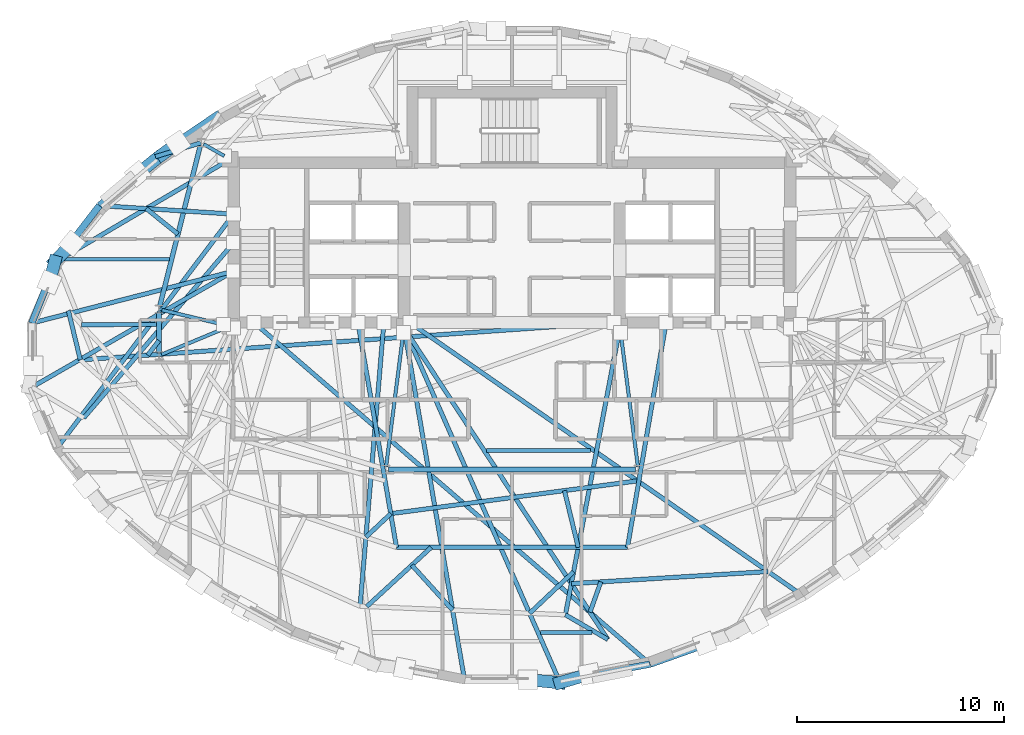
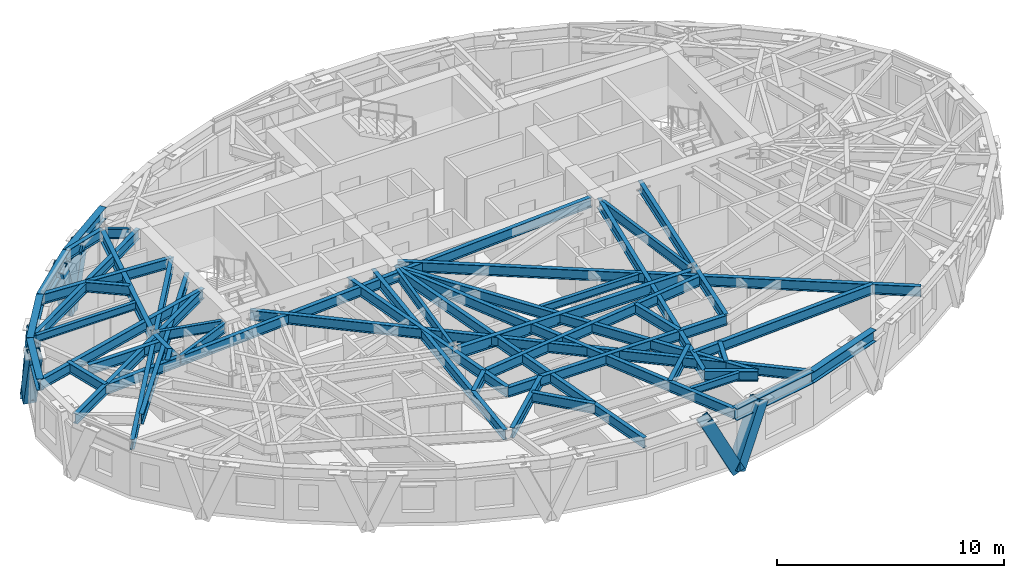
# One storey, part 2 of 14: 48 beams, 6 members.
"""IFC4 building model written with IfcOpenShell, lengths in metres."""

from ifc_helpers import new_model, si_unit, direction, frame, origin, origin_2d, place, context, subcontext, project, spatial, hollow_rectangle, i_section, extrude, material, material_profile, profile_set, type_object, element, save


model = new_model("IFC4")

# Units and contexts
model_context = context("Model", 3, precision=1e-05, world=origin(), true_north=direction((0.0, 1.0)))
body_context = subcontext(model_context, "Body", "Model", "MODEL_VIEW")
ifc_project = project(units=[si_unit("LENGTHUNIT", "METRE"), si_unit("AREAUNIT", "SQUARE_METRE"), si_unit("VOLUMEUNIT", "CUBIC_METRE"), si_unit("PLANEANGLEUNIT", "RADIAN"), si_unit("MASSUNIT", "GRAM", prefix="KILO")], contexts=[model_context])

# Site, building, storey
site_placement = place(None, origin())
site = spatial("IfcSite", under=ifc_project, at=site_placement, CompositionType="ELEMENT")
building_placement = place(site_placement, origin())
building = spatial("IfcBuilding", under=site, at=building_placement, Name="Keldmark Tower", CompositionType="ELEMENT")
storey_placement = place(building_placement, frame((0.0, 0.0, 216.300048828125)))
storey = spatial("IfcBuildingStorey", under=building, at=storey_placement, Name="L60", CompositionType="ELEMENT", Elevation=216.300048828125)

# Beams
ifc_material_1 = material(Name="Steel ASTM A992 Grade 50", Category="steel")
ifc_material_profile_1 = material_profile(ifc_material_1, i_section(OverallWidth=0.177978515625, OverallDepth=0.403076171875, WebThickness=0.007568359375, FlangeThickness=0.010986328125, at=origin_2d()), Name="W16X36")
ifc_profile_set_1 = profile_set([ifc_material_profile_1], Name="Steel ASTM A992 Grade 50")
beam_type_1 = type_object("IfcBeamType", Name="Composite Floor Joist W16X36", PredefinedType="JOIST", material=ifc_profile_set_1)
beam_1_placement = place(storey_placement, frame((1.36279296875, -13.3798828125, 2.7685546875), z_axis=(1.0, 0.0, 0.0), x_axis=(0.0, 1.0, 0.0)))
element("IfcBeam", 1, at=beam_1_placement, inside=storey, type_object=beam_type_1, Name="L60 Composite Floor Joist J03", PredefinedType="JOIST", context=body_context, shape_type="SweptSolid", body=[
    extrude(i_section(OverallWidth=0.177978515625, OverallDepth=0.403076171875, WebThickness=0.007568359375, FlangeThickness=0.010986328125, at=origin_2d()), origin(), (0.0, 0.0, 1.0), 2.494384765625),
])
beam_2_placement = place(storey_placement, frame((-1.22412109375, -4.60009765625, 2.7685546875), z_axis=(1.0, 0.0, 0.0), x_axis=(0.0, 1.0, 0.0)))
element("IfcBeam", 2, at=beam_2_placement, inside=storey, type_object=beam_type_1, Name="L60 Composite Floor Joist J05", PredefinedType="JOIST", context=body_context, shape_type="SweptSolid", body=[
    extrude(i_section(OverallWidth=0.177978515625, OverallDepth=0.403076171875, WebThickness=0.007568359375, FlangeThickness=0.010986328125, at=origin_2d()), origin(), (0.0, 0.0, 1.0), 5.007568359375),
])
beam_3_placement = place(storey_placement, frame((-21.606689453125, 4.6201171875, 2.7685546875), z_axis=(1.0, 0.0, 0.0), x_axis=(0.0, 1.0, 0.0)))
element("IfcBeam", 3, at=beam_3_placement, inside=storey, type_object=beam_type_1, Name="L60 Composite Floor Joist J06", PredefinedType="JOIST", context=body_context, shape_type="SweptSolid", body=[
    extrude(i_section(OverallWidth=0.177978515625, OverallDepth=0.403076171875, WebThickness=0.007568359375, FlangeThickness=0.010986328125, at=origin_2d()), origin(), (0.0, 0.0, 1.0), 5.081787109375),
])

# Members
ifc_material_2 = material(Name="Steel ASTM A572 Grade 50", Category="steel")
ifc_material_profile_2 = material_profile(ifc_material_2, hollow_rectangle(XDim=0.60009765625, YDim=0.60009765625, WallThickness=0.034912109375, at=origin_2d()), Name="BOX600X600X35")
ifc_profile_set_2 = profile_set([ifc_material_profile_2], Name="Steel ASTM A572 Grade 50")
member_type = type_object("IfcMemberType", Name="Diagrid Zone 4 Brace BOX600X600X35", PredefinedType="BRACE", material=ifc_profile_set_2)
member_1_placement = place(storey_placement, frame((-17.109375, 9.498046875, -0.260009765625), z_axis=(0.292510553181, 0.217207911398, 0.931267039846), x_axis=(-0.596172516376, 0.802856357462, 0.0)))
element("IfcMember", 4, at=member_1_placement, inside=storey, type_object=member_type, Name="L60 Perimeter Diagrid Brace 06B", PredefinedType="BRACE", context=body_context, shape_type="SweptSolid", body=[
    extrude(hollow_rectangle(XDim=0.60009765625, YDim=0.60009765625, WallThickness=0.034912109375, at=origin_2d()), origin(), (0.0, 0.0, 1.0), 3.33935546875),
])
member_2_placement = place(storey_placement, frame((-17.10107421875, 9.50634765625, -0.260009765625), z_axis=(-0.284634478032, -0.22716653564, 0.931331616021), x_axis=(0.623788719083, -0.781593010425, 0.0)))
element("IfcMember", 5, at=member_2_placement, inside=storey, type_object=member_type, Name="L60 Perimeter Diagrid Brace 07A", PredefinedType="BRACE", context=body_context, shape_type="SweptSolid", body=[
    extrude(hollow_rectangle(XDim=0.60009765625, YDim=0.60009765625, WallThickness=0.034912109375, at=origin_2d()), origin(), (0.0, 0.0, 1.0), 3.339111328125),
])
member_3_placement = place(storey_placement, frame((-22.048583984375, 4.518798828125, -0.260009765625), z_axis=(0.246743949948, 0.261249680973, 0.933202029228), x_axis=(-0.727001844794, 0.686635505684, 0.0)))
element("IfcMember", 6, at=member_3_placement, inside=storey, type_object=member_type, Name="L60 Perimeter Diagrid Brace 07B", PredefinedType="BRACE", context=body_context, shape_type="SweptSolid", body=[
    extrude(hollow_rectangle(XDim=0.60009765625, YDim=0.60009765625, WallThickness=0.034912109375, at=origin_2d()), origin(), (0.0, 0.0, 1.0), 3.33251953125),
])
member_4_placement = place(storey_placement, frame((-22.044189453125, 4.52978515625, -0.260009765625), z_axis=(-0.080760808944, -0.310103658651, 0.947266283909), x_axis=(0.967720697177, -0.25202510243, 0.0)))
element("IfcMember", 7, at=member_4_placement, inside=storey, type_object=member_type, Name="L60 Perimeter Diagrid Brace 08A", PredefinedType="BRACE", context=body_context, shape_type="SweptSolid", body=[
    extrude(hollow_rectangle(XDim=0.60009765625, YDim=0.60009765625, WallThickness=0.034912109375, at=origin_2d()), origin(), (0.0, 0.0, 1.0), 3.282958984375),
])
member_5_placement = place(storey_placement, frame((2.30908203125, -15.800048828125, -0.260009765625), z_axis=(-0.44402328644, 0.044051044398, 0.894931744094), x_axis=(-0.098724208893, -0.99511483286, 0.0)))
element("IfcMember", 8, at=member_5_placement, inside=storey, type_object=member_type, Name="L60 Perimeter Diagrid Brace 12B", PredefinedType="BRACE", context=body_context, shape_type="SweptSolid", body=[
    extrude(hollow_rectangle(XDim=0.60009765625, YDim=0.60009765625, WallThickness=0.034912109375, at=origin_2d()), origin(), (0.0, 0.0, 1.0), 3.474853515625),
])
member_6_placement = place(storey_placement, frame((2.297119140625, -15.800048828125, -0.260009765625), z_axis=(0.416849662536, 0.122120333706, 0.900734690649), x_axis=(-0.281143781266, 0.959665657537, 0.0)))
element("IfcMember", 9, at=member_6_placement, inside=storey, type_object=member_type, Name="L60 Perimeter Diagrid Brace 13A", PredefinedType="BRACE", context=body_context, shape_type="SweptSolid", body=[
    extrude(hollow_rectangle(XDim=0.60009765625, YDim=0.60009765625, WallThickness=0.034912109375, at=origin_2d()), origin(), (0.0, 0.0, 1.0), 3.45263671875),
])

# Beams
ifc_material_3 = material(Name="Steel ASTM A992 Grade 50", Category="steel")
ifc_material_profile_3 = material_profile(ifc_material_3, i_section(OverallWidth=0.22802734375, OverallDepth=0.60302734375, WebThickness=0.010498046875, FlangeThickness=0.014892578125, at=origin_2d()), Name="W24X68")
ifc_profile_set_3 = profile_set([ifc_material_profile_3], Name="Steel ASTM A992 Grade 50")
beam_type_2 = type_object("IfcBeamType", Name="Primary Floor Girder W24X68", PredefinedType="BEAM", material=ifc_profile_set_3)
beam_4_placement = place(storey_placement, frame((-15.030029296875, 10.10791015625, 2.66845703125), z_axis=(-0.244902129455, -0.969547805417, 0.0), x_axis=(0.969547805417, -0.244902129455, 0.0)))
element("IfcBeam", 10, at=beam_4_placement, inside=storey, type_object=beam_type_2, Name="L60 Floor Ring Girder FG-R05", PredefinedType="BEAM", context=body_context, shape_type="SweptSolid", body=[
    extrude(i_section(OverallWidth=0.22802734375, OverallDepth=0.60302734375, WebThickness=0.010498046875, FlangeThickness=0.014892578125, at=origin_2d()), origin(), (0.0, 0.0, 1.0), 8.008056640625),
])
beam_5_placement = place(storey_placement, frame((-17.025634765625, 2.068115234375, 2.66845703125), z_axis=(0.0, -1.0, 0.0), x_axis=(1.0, 0.0, 0.0)))
element("IfcBeam", 11, at=beam_5_placement, inside=storey, type_object=beam_type_2, Name="L60 Floor Ring Girder FG-R06", PredefinedType="BEAM", context=body_context, shape_type="SweptSolid", body=[
    extrude(i_section(OverallWidth=0.22802734375, OverallDepth=0.60302734375, WebThickness=0.010498046875, FlangeThickness=0.014892578125, at=origin_2d()), origin(), (0.0, 0.0, 1.0), 1.9521484375),
])
beam_6_placement = place(storey_placement, frame((-5.949462890625, -5.512939453125, 2.66845703125), z_axis=(1.0, 0.0, 0.0), x_axis=(0.0, 1.0, 0.0)))
element("IfcBeam", 12, at=beam_6_placement, inside=storey, type_object=beam_type_2, Name="L60 Floor Ring Girder FG-R09", PredefinedType="BEAM", context=body_context, shape_type="SweptSolid", body=[
    extrude(i_section(OverallWidth=0.22802734375, OverallDepth=0.60302734375, WebThickness=0.010498046875, FlangeThickness=0.014892578125, at=origin_2d()), origin(), (0.0, 0.0, 1.0), 11.89892578125),
])
ifc_material_4 = material(Name="Steel ASTM A992 Grade 50", Category="steel")
ifc_material_profile_4 = material_profile(ifc_material_4, i_section(OverallWidth=0.166015625, OverallDepth=0.529052734375, WebThickness=0.009765625, FlangeThickness=0.013671875, at=origin_2d()), Name="W21X50")
ifc_profile_set_4 = profile_set([ifc_material_profile_4], Name="Steel ASTM A992 Grade 50")
beam_type_3 = type_object("IfcBeamType", Name="Radial Tie Girder W21X50", PredefinedType="BEAM", material=ifc_profile_set_4)
beam_7_placement = place(storey_placement, frame((-14.8740234375, 10.174560546875, 2.70556640625), z_axis=(0.869238046195, -0.494393789451, 0.0), x_axis=(0.494393789451, 0.869238046195, 0.0)))
element("IfcBeam", 13, at=beam_7_placement, inside=storey, type_object=beam_type_3, Name="L60 Floor Radial Girder FG-C05", PredefinedType="BEAM", context=body_context, shape_type="SweptSolid", body=[
    extrude(i_section(OverallWidth=0.166015625, OverallDepth=0.529052734375, WebThickness=0.009765625, FlangeThickness=0.013671875, at=origin_2d()), origin(), (0.0, 0.0, 1.0), 1.145751953125),
])
beam_8_placement = place(storey_placement, frame((-16.889404296875, 2.17578125, 2.70556640625), z_axis=(0.97329039005, -0.229577474147, 0.0), x_axis=(0.229577474147, 0.97329039005, 0.0)))
element("IfcBeam", 14, at=beam_8_placement, inside=storey, type_object=beam_type_3, Name="L60 Floor Radial Girder FG-C06", PredefinedType="BEAM", context=body_context, shape_type="SweptSolid", body=[
    extrude(i_section(OverallWidth=0.166015625, OverallDepth=0.529052734375, WebThickness=0.009765625, FlangeThickness=0.013671875, at=origin_2d()), origin(), (0.0, 0.0, 1.0), 3.0595703125),
])
beam_9_placement = place(storey_placement, frame((-16.896240234375, 0.02978515625, 2.70556640625), z_axis=(0.923403331902, 0.383831065226, 0.0), x_axis=(-0.383831065226, 0.923403331902, 0.0)))
element("IfcBeam", 15, at=beam_9_placement, inside=storey, type_object=beam_type_3, Name="L60 Floor Radial Girder FG-C07", PredefinedType="BEAM", context=body_context, shape_type="SweptSolid", body=[
    extrude(i_section(OverallWidth=0.166015625, OverallDepth=0.529052734375, WebThickness=0.009765625, FlangeThickness=0.013671875, at=origin_2d()), origin(), (0.0, 0.0, 1.0), 3.249755859375),
])
for number, where, z_axis, x_axis, name in (
    (16, (-6.071533203125, -5.3740234375, 2.70556640625), (0.127625044513, 0.991822488157, 0.0), (-0.991822488157, 0.127625044513, 0.0), "L60 Floor Radial Girder FG-C09"),
    (17, (6.071533203125, -5.3740234375, 2.70556640625), (-0.127625044513, 0.991822488157, 0.0), (-0.991822488157, -0.127625044513, 0.0), "L60 Floor Radial Girder FG-C10"),
):
    element("IfcBeam", number, at=place(storey_placement, frame(where, z_axis=z_axis, x_axis=x_axis)), inside=storey, type_object=beam_type_3, Name=name, PredefinedType="BEAM", context=body_context, shape_type="SweptSolid", body=[
        extrude(i_section(OverallWidth=0.166015625, OverallDepth=0.529052734375, WebThickness=0.009765625, FlangeThickness=0.013671875, at=origin_2d()), origin(), (0.0, 0.0, 1.0), 6.509765625),
    ])
ifc_material_5 = material(Name="Steel ASTM A992 Grade 50", Category="steel")
ifc_material_profile_5 = material_profile(ifc_material_5, i_section(OverallWidth=0.2099609375, OverallDepth=0.537109375, WebThickness=0.010986328125, FlangeThickness=0.017333984375, at=origin_2d()), Name="W21X68")
ifc_profile_set_5 = profile_set([ifc_material_profile_5], Name="Steel ASTM A992 Grade 50")
beam_type_4 = type_object("IfcBeamType", Name="Radial Tie Girder W21X68", PredefinedType="BEAM", material=ifc_profile_set_5)
beam_10_placement = place(storey_placement, frame((-17.025634765625, 0.70166015625, 2.701416015625), z_axis=(-0.612339626549, -0.790594827809, 0.0), x_axis=(0.790594827809, -0.612339626549, 0.0)))
element("IfcBeam", 18, at=beam_10_placement, inside=storey, type_object=beam_type_4, Name="L60 Framing Pin Header PH-001", PredefinedType="BEAM", context=body_context, shape_type="SweptSolid", body=[
    extrude(i_section(OverallWidth=0.2099609375, OverallDepth=0.537109375, WebThickness=0.010986328125, FlangeThickness=0.017333984375, at=origin_2d()), origin(), (0.0, 0.0, 1.0), 0.887451171875),
])
beam_11_placement = place(storey_placement, frame((4.925048828125, 1.574951171875, 2.701416015625), z_axis=(-0.997557227115, -0.069853980777, 0.0), x_axis=(0.069853980777, -0.997557227115, 0.0)))
element("IfcBeam", 19, at=beam_11_placement, inside=storey, type_object=beam_type_4, Name="L60 Sub-Ring Step Girder STP1-M07", PredefinedType="BEAM", context=body_context, shape_type="SweptSolid", body=[
    extrude(i_section(OverallWidth=0.2099609375, OverallDepth=0.537109375, WebThickness=0.010986328125, FlangeThickness=0.017333984375, at=origin_2d()), origin(), (0.0, 0.0, 1.0), 25.80712890625),
])
beam_12_placement = place(storey_placement, frame((-7.43212890625, 1.574951171875, 2.701416015625), z_axis=(0.169271687768, -0.985569427144, 0.0), x_axis=(0.985569427144, 0.169271687768, 0.0)))
element("IfcBeam", 20, at=beam_12_placement, inside=storey, type_object=beam_type_4, Name="L60 Sub-Ring Step Girder STP1-M09", PredefinedType="BEAM", context=body_context, shape_type="SweptSolid", body=[
    extrude(i_section(OverallWidth=0.2099609375, OverallDepth=0.537109375, WebThickness=0.010986328125, FlangeThickness=0.017333984375, at=origin_2d()), origin(), (0.0, 0.0, 1.0), 11.004638671875),
])
beam_13_placement = place(storey_placement, frame((-5.848876953125, -7.64404296875, 2.701416015625), z_axis=(0.991295573301, 0.131655179747, 0.0), x_axis=(-0.131655179747, 0.991295573301, 0.0)))
element("IfcBeam", 21, at=beam_13_placement, inside=storey, type_object=beam_type_4, Name="L60 Framing Pin Header PH-004", PredefinedType="BEAM", context=body_context, shape_type="SweptSolid", body=[
    extrude(i_section(OverallWidth=0.2099609375, OverallDepth=0.537109375, WebThickness=0.010986328125, FlangeThickness=0.017333984375, at=origin_2d()), origin(), (0.0, 0.0, 1.0), 12.075927734375),
])
beam_14_placement = place(storey_placement, frame((7.43212890625, 1.574951171875, 2.701416015625), z_axis=(-0.169271687768, -0.985569427144, 0.0), x_axis=(0.985569427144, -0.169271687768, 0.0)))
element("IfcBeam", 22, at=beam_14_placement, inside=storey, type_object=beam_type_4, Name="L60 Sub-Ring Step Girder STP1-M10", PredefinedType="BEAM", context=body_context, shape_type="SweptSolid", body=[
    extrude(i_section(OverallWidth=0.2099609375, OverallDepth=0.537109375, WebThickness=0.010986328125, FlangeThickness=0.017333984375, at=origin_2d()), origin(), (0.0, 0.0, 1.0), 11.004638671875),
])
beam_15_placement = place(storey_placement, frame((-5.5693359375, -9.27099609375, 2.701416015625), z_axis=(1.0, 0.0, 0.0), x_axis=(0.0, 1.0, 0.0)))
element("IfcBeam", 23, at=beam_15_placement, inside=storey, type_object=beam_type_4, Name="L60 Perimeter Collector Ring Beam CRG1-M09", PredefinedType="BEAM", context=body_context, shape_type="SweptSolid", body=[
    extrude(i_section(OverallWidth=0.2099609375, OverallDepth=0.537109375, WebThickness=0.010986328125, FlangeThickness=0.017333984375, at=origin_2d()), origin(), (0.0, 0.0, 1.0), 11.138671875),
])
beam_16_placement = place(storey_placement, frame((-5.848876953125, -7.64404296875, 2.701416015625), z_axis=(-0.72622480097, -0.68745729937, 0.0), x_axis=(0.68745729937, -0.72622480097, 0.0)))
element("IfcBeam", 24, at=beam_16_placement, inside=storey, type_object=beam_type_4, Name="L60 Framing Pin Header PH-009", PredefinedType="BEAM", context=body_context, shape_type="SweptSolid", body=[
    extrude(i_section(OverallWidth=0.2099609375, OverallDepth=0.537109375, WebThickness=0.010986328125, FlangeThickness=0.017333984375, at=origin_2d()), origin(), (0.0, 0.0, 1.0), 1.64990234375),
])
beam_17_placement = place(storey_placement, frame((-6.1787109375, 1.574951171875, 2.701416015625), z_axis=(-0.083585384699, -0.996500618898, 0.0), x_axis=(0.996500618898, -0.083585384699, 0.0)))
element("IfcBeam", 25, at=beam_17_placement, inside=storey, type_object=beam_type_4, Name="L60 Sub-Ring Step Girder STP2-M09", PredefinedType="BEAM", context=body_context, shape_type="SweptSolid", body=[
    extrude(i_section(OverallWidth=0.2099609375, OverallDepth=0.537109375, WebThickness=0.010986328125, FlangeThickness=0.017333984375, at=origin_2d()), origin(), (0.0, 0.0, 1.0), 13.73388671875),
])
beam_18_placement = place(storey_placement, frame((2.53076171875, -6.53125, 2.701416015625), z_axis=(0.235314951498, -0.971919170302, 0.0), x_axis=(0.971919170302, 0.235314951498, 0.0)))
element("IfcBeam", 26, at=beam_18_placement, inside=storey, type_object=beam_type_4, Name="L60 Framing Pin Header PH-010", PredefinedType="BEAM", context=body_context, shape_type="SweptSolid", body=[
    extrude(i_section(OverallWidth=0.2099609375, OverallDepth=0.537109375, WebThickness=0.010986328125, FlangeThickness=0.017333984375, at=origin_2d()), origin(), (0.0, 0.0, 1.0), 2.81884765625),
])
beam_19_placement = place(storey_placement, frame((5.199951171875, 1.300048828125, 2.701416015625), z_axis=(-0.186424632034, -0.98246926495, 0.0), x_axis=(0.98246926495, -0.186424632034, 0.0)))
element("IfcBeam", 27, at=beam_19_placement, inside=storey, type_object=beam_type_4, Name="L60 Sub-Ring Step Girder STP2-M10", PredefinedType="BEAM", context=body_context, shape_type="SweptSolid", body=[
    extrude(i_section(OverallWidth=0.2099609375, OverallDepth=0.537109375, WebThickness=0.010986328125, FlangeThickness=0.017333984375, at=origin_2d()), origin(), (0.0, 0.0, 1.0), 14.067626953125),
])
beam_20_placement = place(storey_placement, frame((-14.995849609375, 10.24365234375, 2.701416015625), z_axis=(-0.956580093737, -0.291469594068, 0.0), x_axis=(0.291469594068, -0.956580093737, 0.0)))
element("IfcBeam", 28, at=beam_20_placement, inside=storey, type_object=beam_type_4, Name="L60 Perimeter Column Bracket RT-13", PredefinedType="BEAM", context=body_context, shape_type="SweptSolid", body=[
    extrude(i_section(OverallWidth=0.2099609375, OverallDepth=0.537109375, WebThickness=0.010986328125, FlangeThickness=0.017333984375, at=origin_2d()), origin(), (0.0, 0.0, 1.0), 2.302734375),
])
beam_21_placement = place(storey_placement, frame((-20.819091796875, -0.227783203125, 2.701416015625), z_axis=(-0.235685846102, 0.971829296712, 0.0), x_axis=(-0.971829296712, -0.235685846102, 0.0)))
element("IfcBeam", 29, at=beam_21_placement, inside=storey, type_object=beam_type_4, Name="L60 Local Collector Chord RT-15C", PredefinedType="BEAM", context=body_context, shape_type="SweptSolid", body=[
    extrude(i_section(OverallWidth=0.2099609375, OverallDepth=0.537109375, WebThickness=0.010986328125, FlangeThickness=0.017333984375, at=origin_2d()), origin(), (0.0, 0.0, 1.0), 2.442626953125),
])
beam_22_placement = place(storey_placement, frame((-17.025634765625, 1.482421875, 2.701416015625), z_axis=(-0.999993993946, -0.003465843688, 0.0), x_axis=(0.003465843688, -0.999993993946, 0.0)))
element("IfcBeam", 30, at=beam_22_placement, inside=storey, type_object=beam_type_4, Name="L60 Framing Pin Header PH-019", PredefinedType="BEAM", context=body_context, shape_type="SweptSolid", body=[
    extrude(i_section(OverallWidth=0.2099609375, OverallDepth=0.537109375, WebThickness=0.010986328125, FlangeThickness=0.017333984375, at=origin_2d()), origin(), (0.0, 0.0, 1.0), 3.7333984375),
])
beam_23_placement = place(storey_placement, frame((-13.425048828125, 4.050048828125, 2.701416015625), z_axis=(-0.968496113005, -0.249028671228, 0.0), x_axis=(0.249028671228, -0.968496113005, 0.0)))
element("IfcBeam", 31, at=beam_23_placement, inside=storey, type_object=beam_type_4, Name="L60 Perimeter Radial Tie Girder RT-16", PredefinedType="BEAM", context=body_context, shape_type="SweptSolid", body=[
    extrude(i_section(OverallWidth=0.2099609375, OverallDepth=0.537109375, WebThickness=0.010986328125, FlangeThickness=0.017333984375, at=origin_2d()), origin(), (0.0, 0.0, 1.0), 10.05078125),
])
beam_24_placement = place(storey_placement, frame((-13.425048828125, 4.050048828125, 2.701416015625), z_axis=(-0.866904658816, -0.498473983798, 0.0), x_axis=(0.498473983798, -0.866904658816, 0.0)))
element("IfcBeam", 32, at=beam_24_placement, inside=storey, type_object=beam_type_4, Name="L60 Perimeter Radial Tie Girder RT-17", PredefinedType="BEAM", context=body_context, shape_type="SweptSolid", body=[
    extrude(i_section(OverallWidth=0.2099609375, OverallDepth=0.537109375, WebThickness=0.010986328125, FlangeThickness=0.017333984375, at=origin_2d()), origin(), (0.0, 0.0, 1.0), 11.228515625),
])
beam_25_placement = place(storey_placement, frame((-13.425048828125, 5.425048828125, 2.701416015625), z_axis=(-0.649841896798, -0.760069410755, 0.0), x_axis=(0.760069410755, -0.649841896798, 0.0)))
element("IfcBeam", 33, at=beam_25_placement, inside=storey, type_object=beam_type_4, Name="L60 Intermediate Radial Step Girder RT-18M", PredefinedType="BEAM", context=body_context, shape_type="SweptSolid", body=[
    extrude(i_section(OverallWidth=0.2099609375, OverallDepth=0.537109375, WebThickness=0.010986328125, FlangeThickness=0.017333984375, at=origin_2d()), origin(), (0.0, 0.0, 1.0), 11.123046875),
])
beam_26_placement = place(storey_placement, frame((-13.425048828125, 6.800048828125, 2.701416015625), z_axis=(-0.602495048925, -0.798122619665, 0.0), x_axis=(0.798122619665, -0.602495048925, 0.0)))
element("IfcBeam", 34, at=beam_26_placement, inside=storey, type_object=beam_type_4, Name="L60 Perimeter Radial Tie Girder RT-18", PredefinedType="BEAM", context=body_context, shape_type="SweptSolid", body=[
    extrude(i_section(OverallWidth=0.2099609375, OverallDepth=0.537109375, WebThickness=0.010986328125, FlangeThickness=0.017333984375, at=origin_2d()), origin(), (0.0, 0.0, 1.0), 14.183349609375),
])
beam_27_placement = place(storey_placement, frame((-3.898681640625, -9.27099609375, 2.701416015625), z_axis=(-0.736507526362, -0.676429348573, 0.0), x_axis=(0.676429348573, -0.736507526362, 0.0)))
element("IfcBeam", 35, at=beam_27_placement, inside=storey, type_object=beam_type_4, Name="L60 Framing Pin Header PH-025", PredefinedType="BEAM", context=body_context, shape_type="SweptSolid", body=[
    extrude(i_section(OverallWidth=0.2099609375, OverallDepth=0.537109375, WebThickness=0.010986328125, FlangeThickness=0.017333984375, at=origin_2d()), origin(), (0.0, 0.0, 1.0), 4.218017578125),
])
beam_28_placement = place(storey_placement, frame((-4.83056640625, -10.126953125, 2.701416015625), z_axis=(0.67128029755, -0.741203590197, 0.0), x_axis=(0.741203590197, 0.67128029755, 0.0)))
element("IfcBeam", 36, at=beam_28_placement, inside=storey, type_object=beam_type_4, Name="L60 Framing Pin Header PH-026", PredefinedType="BEAM", context=body_context, shape_type="SweptSolid", body=[
    extrude(i_section(OverallWidth=0.2099609375, OverallDepth=0.537109375, WebThickness=0.010986328125, FlangeThickness=0.017333984375, at=origin_2d()), origin(), (0.0, 0.0, 1.0), 2.926025390625),
])
beam_29_placement = place(storey_placement, frame((-5.199951171875, 1.300048828125, 2.701416015625), z_axis=(0.169160163678, -0.985588574926, 0.0), x_axis=(0.985588574926, 0.169160163678, 0.0)))
element("IfcBeam", 37, at=beam_29_placement, inside=storey, type_object=beam_type_4, Name="L60 Perimeter Radial Tie Girder RT-24", PredefinedType="BEAM", context=body_context, shape_type="SweptSolid", body=[
    extrude(i_section(OverallWidth=0.2099609375, OverallDepth=0.537109375, WebThickness=0.010986328125, FlangeThickness=0.017333984375, at=origin_2d()), origin(), (0.0, 0.0, 1.0), 17.255615234375),
])
beam_30_placement = place(storey_placement, frame((2.970947265625, -10.447998046875, 2.701416015625), z_axis=(-0.72759537295, -0.686006540247, 0.0), x_axis=(0.686006540247, -0.72759537295, 0.0)))
element("IfcBeam", 38, at=beam_30_placement, inside=storey, type_object=beam_type_4, Name="L60 Framing Pin Header PH-027", PredefinedType="BEAM", context=body_context, shape_type="SweptSolid", body=[
    extrude(i_section(OverallWidth=0.2099609375, OverallDepth=0.537109375, WebThickness=0.010986328125, FlangeThickness=0.017333984375, at=origin_2d()), origin(), (0.0, 0.0, 1.0), 2.91748046875),
])
beam_31_placement = place(storey_placement, frame((-5.199951171875, 1.300048828125, 2.701416015625), z_axis=(0.402646136665, -0.915355716992, 0.0), x_axis=(0.915355716992, 0.402646136665, 0.0)))
element("IfcBeam", 39, at=beam_31_placement, inside=storey, type_object=beam_type_4, Name="L60 Perimeter Radial Tie Girder RT-25", PredefinedType="BEAM", context=body_context, shape_type="SweptSolid", body=[
    extrude(i_section(OverallWidth=0.2099609375, OverallDepth=0.537109375, WebThickness=0.010986328125, FlangeThickness=0.017333984375, at=origin_2d()), origin(), (0.0, 0.0, 1.0), 18.57958984375),
])
beam_32_placement = place(storey_placement, frame((12.34423828125, -10.437744140625, 2.701416015625), z_axis=(-0.998107383306, -0.061495133065, 0.0), x_axis=(0.061495133065, -0.998107383306, 0.0)))
element("IfcBeam", 40, at=beam_32_placement, inside=storey, type_object=beam_type_4, Name="L60 Framing Pin Header PH-028", PredefinedType="BEAM", context=body_context, shape_type="SweptSolid", body=[
    extrude(i_section(OverallWidth=0.2099609375, OverallDepth=0.537109375, WebThickness=0.010986328125, FlangeThickness=0.017333984375, at=origin_2d()), origin(), (0.0, 0.0, 1.0), 9.50048828125),
])
beam_33_placement = place(storey_placement, frame((-5.199951171875, 1.300048828125, 2.701416015625), z_axis=(0.547496494252, -0.836807976051, 0.0), x_axis=(0.836807976051, 0.547496494252, 0.0)))
element("IfcBeam", 41, at=beam_33_placement, inside=storey, type_object=beam_type_4, Name="L60 Intermediate Radial Step Girder RT-26M", PredefinedType="BEAM", context=body_context, shape_type="SweptSolid", body=[
    extrude(i_section(OverallWidth=0.2099609375, OverallDepth=0.537109375, WebThickness=0.010986328125, FlangeThickness=0.017333984375, at=origin_2d()), origin(), (0.0, 0.0, 1.0), 17.93798828125),
])
beam_34_placement = place(storey_placement, frame((2.577392578125, -12.52099609375, 2.701416015625), z_axis=(0.864231635886, -0.503094106041, 0.0), x_axis=(0.503094106041, 0.864231635886, 0.0)))
element("IfcBeam", 42, at=beam_34_placement, inside=storey, type_object=beam_type_4, Name="L60 Local Collector Chord RT-26C", PredefinedType="BEAM", context=body_context, shape_type="SweptSolid", body=[
    extrude(i_section(OverallWidth=0.2099609375, OverallDepth=0.537109375, WebThickness=0.010986328125, FlangeThickness=0.017333984375, at=origin_2d()), origin(), (0.0, 0.0, 1.0), 2.36474609375),
])
beam_35_placement = place(storey_placement, frame((4.2841796875, -10.934326171875, 2.701416015625), z_axis=(-0.335480599852, -0.942047115129, 0.0), x_axis=(0.942047115129, -0.335480599852, 0.0)))
element("IfcBeam", 43, at=beam_35_placement, inside=storey, type_object=beam_type_4, Name="L60 Framing Pin Header PH-029", PredefinedType="BEAM", context=body_context, shape_type="SweptSolid", body=[
    extrude(i_section(OverallWidth=0.2099609375, OverallDepth=0.537109375, WebThickness=0.010986328125, FlangeThickness=0.017333984375, at=origin_2d()), origin(), (0.0, 0.0, 1.0), 1.554443359375),
])
beam_36_placement = place(storey_placement, frame((-12.4462890625, 1.574951171875, 2.701416015625), z_axis=(0.757399896463, -0.652951297447, 0.0), x_axis=(0.652951297447, 0.757399896463, 0.0)))
element("IfcBeam", 44, at=beam_36_placement, inside=storey, type_object=beam_type_4, Name="L60 Perimeter Radial Tie Girder RT-26", PredefinedType="BEAM", context=body_context, shape_type="SweptSolid", body=[
    extrude(i_section(OverallWidth=0.2099609375, OverallDepth=0.537109375, WebThickness=0.010986328125, FlangeThickness=0.017333984375, at=origin_2d()), origin(), (0.0, 0.0, 1.0), 25.232421875),
])
beam_37_placement = place(storey_placement, frame((-4.925048828125, 1.574951171875, 2.701416015625), z_axis=(0.821019341373, -0.570900377554, 0.0), x_axis=(0.570900377554, 0.821019341373, 0.0)))
element("IfcBeam", 45, at=beam_37_placement, inside=storey, type_object=beam_type_4, Name="L60 Perimeter Radial Tie Girder RT-28", PredefinedType="BEAM", context=body_context, shape_type="SweptSolid", body=[
    extrude(i_section(OverallWidth=0.2099609375, OverallDepth=0.537109375, WebThickness=0.010986328125, FlangeThickness=0.017333984375, at=origin_2d()), origin(), (0.0, 0.0, 1.0), 23.190185546875),
])
beam_38_placement = place(storey_placement, frame((-13.60009765625, 9.449951171875, 2.701416015625), z_axis=(-0.861655628742, -0.507493426023, 0.0), x_axis=(0.507493426023, -0.861655628742, 0.0)))
element("IfcBeam", 46, at=beam_38_placement, inside=storey, type_object=beam_type_4, Name="L60 Straddling Support Chord RT-14RB", PredefinedType="BEAM", context=body_context, shape_type="SweptSolid", body=[
    extrude(i_section(OverallWidth=0.2099609375, OverallDepth=0.537109375, WebThickness=0.010986328125, FlangeThickness=0.017333984375, at=origin_2d()), origin(), (0.0, 0.0, 1.0), 9.71435546875),
])
beam_39_placement = place(storey_placement, frame((-16.10888671875, 5.837646484375, 2.701416015625), z_axis=(-0.779753469747, 0.626086676441, 0.0), x_axis=(-0.626086676441, -0.779753469747, 0.0)))
element("IfcBeam", 47, at=beam_39_placement, inside=storey, type_object=beam_type_4, Name="L60 Framing Pin Header PH-035", PredefinedType="BEAM", context=body_context, shape_type="SweptSolid", body=[
    extrude(i_section(OverallWidth=0.2099609375, OverallDepth=0.537109375, WebThickness=0.010986328125, FlangeThickness=0.017333984375, at=origin_2d()), origin(), (0.0, 0.0, 1.0), 1.966796875),
])
beam_40_placement = place(storey_placement, frame((-13.425048828125, 6.800048828125, 2.701416015625), z_axis=(-0.997971628044, 0.063660267193, 0.0), x_axis=(-0.063660267193, -0.997971628044, 0.0)))
element("IfcBeam", 48, at=beam_40_placement, inside=storey, type_object=beam_type_4, Name="L60 Perimeter Radial Tie Girder RT-14R", PredefinedType="BEAM", context=body_context, shape_type="SweptSolid", body=[
    extrude(i_section(OverallWidth=0.2099609375, OverallDepth=0.537109375, WebThickness=0.010986328125, FlangeThickness=0.017333984375, at=origin_2d()), origin(), (0.0, 0.0, 1.0), 6.485107421875),
])
ifc_material_6 = material(Name="Steel ASTM A992 Grade 50", Category="steel")
ifc_material_profile_6 = material_profile(ifc_material_6, i_section(OverallWidth=0.326904296875, OverallDepth=0.6220703125, WebThickness=0.015380859375, FlangeThickness=0.0244140625, at=origin_2d()), Name="W24X131")
ifc_profile_set_6 = profile_set([ifc_material_profile_6], Name="Steel ASTM A992 Grade 50")
beam_type_5 = type_object("IfcBeamType", Name="Spandrel Ring Beam W24X131", PredefinedType="SPANDREL", material=ifc_profile_set_6)
beam_41_placement = place(storey_placement, frame((-14.114501953125, 11.664306640625, 2.658935546875), z_axis=(-0.827588821514, -0.561334786473, 0.0), x_axis=(0.561334786473, -0.827588821514, 0.0)))
element("IfcBeam", 49, at=beam_41_placement, inside=storey, type_object=beam_type_5, Name="L60 Perimeter Spandrel Ring Beam SRB-12", PredefinedType="SPANDREL", context=body_context, shape_type="SweptSolid", body=[
    extrude(i_section(OverallWidth=0.326904296875, OverallDepth=0.6220703125, WebThickness=0.015380859375, FlangeThickness=0.0244140625, at=origin_2d()), origin(), (0.0, 0.0, 1.0), 3.7265625),
])
beam_42_placement = place(storey_placement, frame((-17.198486328125, 9.572509765625, 2.658935546875), z_axis=(-0.752791825906, -0.65825866257, 0.0), x_axis=(0.65825866257, -0.752791825906, 0.0)))
element("IfcBeam", 50, at=beam_42_placement, inside=storey, type_object=beam_type_5, Name="L60 Perimeter Spandrel Ring Beam SRB-13", PredefinedType="SPANDREL", context=body_context, shape_type="SweptSolid", body=[
    extrude(i_section(OverallWidth=0.326904296875, OverallDepth=0.6220703125, WebThickness=0.015380859375, FlangeThickness=0.0244140625, at=origin_2d()), origin(), (0.0, 0.0, 1.0), 3.584716796875),
])
beam_43_placement = place(storey_placement, frame((-19.89697265625, 7.212890625, 2.658935546875), z_axis=(-0.61008909013, -0.792332822811, 0.0), x_axis=(0.792332822811, -0.61008909013, 0.0)))
element("IfcBeam", 51, at=beam_43_placement, inside=storey, type_object=beam_type_5, Name="L60 Perimeter Spandrel Ring Beam SRB-14", PredefinedType="SPANDREL", context=body_context, shape_type="SweptSolid", body=[
    extrude(i_section(OverallWidth=0.326904296875, OverallDepth=0.6220703125, WebThickness=0.015380859375, FlangeThickness=0.0244140625, at=origin_2d()), origin(), (0.0, 0.0, 1.0), 3.398681640625),
])
beam_44_placement = place(storey_placement, frame((-21.970458984375, 4.52001953125, 2.658935546875), z_axis=(-0.371272350835, -0.928524012347, 0.0), x_axis=(0.928524012347, -0.371272350835, 0.0)))
element("IfcBeam", 52, at=beam_44_placement, inside=storey, type_object=beam_type_5, Name="L60 Perimeter Spandrel Ring Beam SRB-15", PredefinedType="SPANDREL", context=body_context, shape_type="SweptSolid", body=[
    extrude(i_section(OverallWidth=0.326904296875, OverallDepth=0.6220703125, WebThickness=0.015380859375, FlangeThickness=0.0244140625, at=origin_2d()), origin(), (0.0, 0.0, 1.0), 3.20166015625),
])
beam_45_placement = place(storey_placement, frame((2.281005859375, -15.706787109375, 2.658935546875), z_axis=(0.983508612793, 0.180861296472, 0.0), x_axis=(-0.180861296472, 0.983508612793, 0.0)))
element("IfcBeam", 53, at=beam_45_placement, inside=storey, type_object=beam_type_5, Name="L60 Perimeter Spandrel Ring Beam SRB-25", PredefinedType="SPANDREL", context=body_context, shape_type="SweptSolid", body=[
    extrude(i_section(OverallWidth=0.326904296875, OverallDepth=0.6220703125, WebThickness=0.015380859375, FlangeThickness=0.0244140625, at=origin_2d()), origin(), (0.0, 0.0, 1.0), 4.457275390625),
])
beam_46_placement = place(storey_placement, frame((6.664794921875, -14.900634765625, 2.658935546875), z_axis=(0.942599100789, 0.333926541609, 0.0), x_axis=(-0.333926541609, 0.942599100789, 0.0)))
element("IfcBeam", 54, at=beam_46_placement, inside=storey, type_object=beam_type_5, Name="L60 Perimeter Spandrel Ring Beam SRB-26", PredefinedType="SPANDREL", context=body_context, shape_type="SweptSolid", body=[
    extrude(i_section(OverallWidth=0.326904296875, OverallDepth=0.6220703125, WebThickness=0.015380859375, FlangeThickness=0.0244140625, at=origin_2d()), origin(), (0.0, 0.0, 1.0), 4.2119140625),
])

save(model, "model.ifc")
